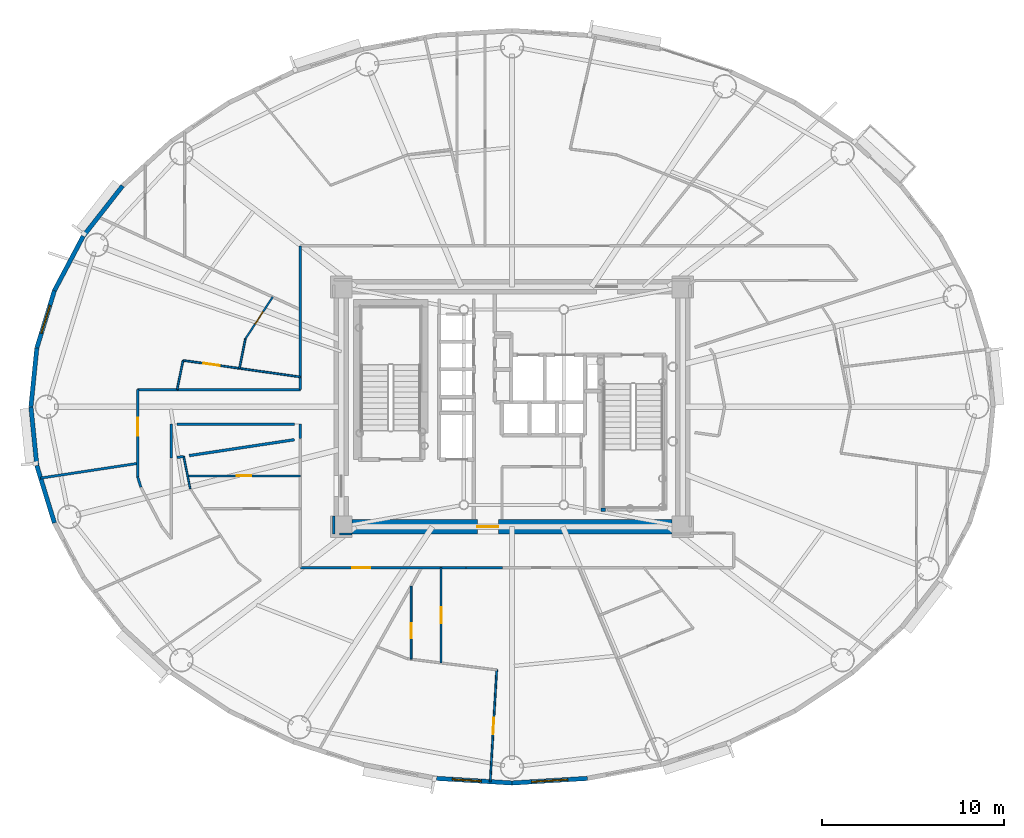
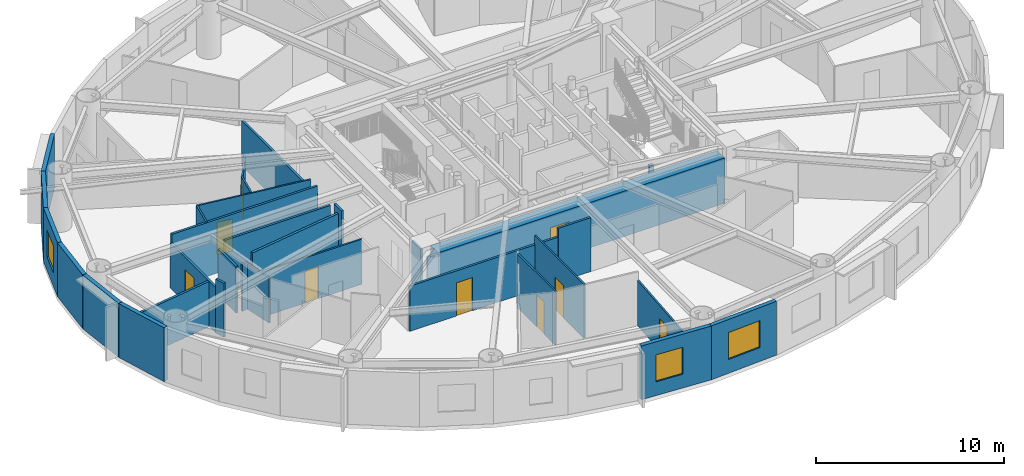
# One storey, part 7 of 18: 33 walls, 9 doors, 3 windows, 12 openings.
"""IFC4 building model written with IfcOpenShell, lengths in metres."""

from ifc_helpers import new_model, si_unit, direction, frame, frame_2d, origin, origin_2d, place, context, subcontext, project, spatial, rectangle, extrude, source, transform, mapped, material, layer, layer_set, type_object, element, fill, save


model = new_model("IFC4")

# Units and contexts
model_context = context("Model", 3, precision=1e-05, world=origin(), true_north=direction((0.0, 1.0)))
body_context = subcontext(model_context, "Body", "Model", "MODEL_VIEW")
ifc_project = project(units=[si_unit("LENGTHUNIT", "METRE"), si_unit("AREAUNIT", "SQUARE_METRE"), si_unit("VOLUMEUNIT", "CUBIC_METRE"), si_unit("PLANEANGLEUNIT", "RADIAN"), si_unit("MASSUNIT", "GRAM", prefix="KILO")], contexts=[model_context])

# Site, building, storey
site_placement = place(None, origin())
site = spatial("IfcSite", under=ifc_project, at=site_placement, CompositionType="ELEMENT")
building_placement = place(site_placement, origin())
building = spatial("IfcBuilding", under=site, at=building_placement, Name="Linh Dai School and Residence Tower", CompositionType="ELEMENT")
storey_placement = place(building_placement, frame((0.0, 0.0, 159.89990234375)))
storey = spatial("IfcBuildingStorey", under=building, at=storey_placement, Name="L38", CompositionType="ELEMENT", Elevation=159.89990234375)

# Walls
ifc_material_1 = material(Name="Precast Concrete B45 (C35/45)", Category="concrete")
ifc_layer_1 = layer(ifc_material_1, 0.239990234375)
ifc_layer_set_1 = layer_set([ifc_layer_1], Name="Precast Concrete B45 (C35/45)")
wall_type_1 = type_object("IfcWallType", Name="EW-TC-240", PredefinedType="SOLIDWALL", material=ifc_layer_set_1)
wall_1_placement = place(storey_placement, frame((12.404052734375, 36.388427734375, 0.0), z_axis=(0.0, 0.0, 1.0), x_axis=(0.616287674549, 0.787521112224, 0.0)))
element("IfcWall", 1, at=wall_1_placement, inside=storey, type_object=wall_type_1, Name="L38 Terracotta Exterior Wall 17", PredefinedType="SOLIDWALL", context=body_context, shape_type="SweptSolid", body=[
    extrude(rectangle(XDim=3.517333984375, YDim=0.239990234375, at=frame_2d((1.7587890625, 0.0))), origin(), (0.0, 0.0, 1.0), 3.5),
])
wall_2_placement = place(storey_placement, frame((10.8173828125, 33.388916015625, 0.0), z_axis=(0.0, 0.0, 1.0), x_axis=(0.467586874938, 0.88394712194, 0.0)))
element("IfcWall", 2, at=wall_2_placement, inside=storey, type_object=wall_type_1, Name="L38 Terracotta Exterior Wall 18", PredefinedType="SOLIDWALL", context=body_context, shape_type="SweptSolid", body=[
    extrude(rectangle(XDim=3.393310546875, YDim=0.239990234375, at=frame_2d((1.69677734375, 0.0))), origin(), (0.0, 0.0, 1.0), 3.5),
])

# Wall, opening, window
wall_3_placement = place(storey_placement, frame((9.85009765625, 30.233642578125, 0.0), z_axis=(0.0, 0.0, 1.0), x_axis=(0.293097995113, 0.956082405058, 0.0)))
wall_3 = element("IfcWall", 3, at=wall_3_placement, inside=storey, type_object=wall_type_1, Name="L38 Terracotta Exterior Wall 19", PredefinedType="SOLIDWALL", context=body_context, shape_type="SweptSolid", body=[
    extrude(rectangle(XDim=3.30029296875, YDim=0.239990234375, at=frame_2d((1.650146484375, 0.0))), origin(), (0.0, 0.0, 1.0), 3.5),
])
opening_1_placement = place(wall_3_placement, frame((0.85009765625, 0.0, 0.89990234375)))
opening_1 = element("IfcOpeningElement", 4, at=opening_1_placement, cuts=wall_3, Name="Opening W2", PredefinedType="OPENING", context=body_context, shape_type="SweptSolid", body=[
    extrude(rectangle(XDim=1.60009765625, YDim=1.75, at=origin_2d()), frame((0.800048828125, 0.1298828125, 0.875), z_axis=(0.0, -1.0, 0.0), x_axis=(1.0, 0.0, 0.0)), (0.0, 0.0, 1.0), 0.260009765625),
])
ifc_material_2 = material(Name="Double Low-E Insulated Glazing", Category="glass")
window_type_1 = type_object("IfcWindowType", Name="WN-RES-1600x1750", PartitioningType="DOUBLE_PANEL_VERTICAL", PredefinedType="WINDOW", material=ifc_material_2)
shared_shape_1 = source(origin(), body_context, "Body", "SweptSolid", [
    extrude(rectangle(XDim=1.60009765625, YDim=1.75, at=origin_2d()), frame((0.800048828125, 0.030029296875, 0.875), z_axis=(0.0, -1.0, 0.0), x_axis=(1.0, 0.0, 0.0)), (0.0, 0.0, 1.0), 0.06005859375),
])
window_1_placement = place(opening_1_placement, origin())
window_1 = element("IfcWindow", 5, at=window_1_placement, inside=storey, type_object=window_type_1, Name="L38 Exterior Window 19.1", OverallHeight=1.75, OverallWidth=1.60009765625, PartitioningType="DOUBLE_PANEL_VERTICAL", PredefinedType="WINDOW", context=body_context, shape_type="MappedRepresentation", body=[
    mapped(shared_shape_1, transform((0.0, 0.0, 0.0), x_axis=(1.0, 0.0, 0.0), y_axis=(0.0, 1.0, 0.0), z_axis=(0.0, 0.0, 1.0), scale=1.0)),
])
fill(opening_1, window_1)

# Walls
for number, where, z_axis, x_axis, name in (
    (6, (9.52490234375, 27.0, 0.0), (0.0, 0.0, 1.0), (0.100061534614, 0.994981250723, 0.0), "L38 Terracotta Exterior Wall 20"),
    (7, (9.85009765625, 23.766357421875, 0.0), (0.0, 0.0, 1.0), (-0.100061534614, 0.994981250723, 0.0), "L38 Terracotta Exterior Wall 21"),
):
    element("IfcWall", number, at=place(storey_placement, frame(where, z_axis=z_axis, x_axis=x_axis)), inside=storey, type_object=wall_type_1, Name=name, PredefinedType="SOLIDWALL", context=body_context, shape_type="SweptSolid", body=[
        extrude(rectangle(XDim=3.25, YDim=0.239990234375, at=frame_2d((1.625, 0.0))), origin(), (0.0, 0.0, 1.0), 3.5),
    ])
wall_4_placement = place(storey_placement, frame((10.8173828125, 20.611083984375, 0.0), z_axis=(0.0, 0.0, 1.0), x_axis=(-0.293097995113, 0.956082405058, 0.0)))
element("IfcWall", 8, at=wall_4_placement, inside=storey, type_object=wall_type_1, Name="L38 Terracotta Exterior Wall 22", PredefinedType="SOLIDWALL", context=body_context, shape_type="SweptSolid", body=[
    extrude(rectangle(XDim=3.30029296875, YDim=0.239990234375, at=frame_2d((1.650146484375, 0.0))), origin(), (0.0, 0.0, 1.0), 3.5),
])

# Wall, opening, window
wall_5_placement = place(storey_placement, frame((36.0, 6.294921875, 0.0), z_axis=(0.0, 0.0, 1.0), x_axis=(-0.998104600619, 0.061540281305, 0.0)))
wall_5 = element("IfcWall", 9, at=wall_5_placement, inside=storey, type_object=wall_type_1, Name="L38 Terracotta Exterior Wall 30", PredefinedType="SOLIDWALL", context=body_context, shape_type="SweptSolid", body=[
    extrude(rectangle(XDim=4.153564453125, YDim=0.239990234375, at=frame_2d((2.07666015625, 0.0))), origin(), (0.0, 0.0, 1.0), 3.5),
])
opening_2_placement = place(wall_5_placement, frame((1.68359375, 0.0, 0.89990234375)))
opening_2 = element("IfcOpeningElement", 10, at=opening_2_placement, cuts=wall_5, Name="Opening W2", PredefinedType="OPENING", context=body_context, shape_type="SweptSolid", body=[
    extrude(rectangle(XDim=1.60009765625, YDim=1.75, at=origin_2d()), frame((0.800048828125, 0.1298828125, 0.875), z_axis=(0.0, -1.0, 0.0), x_axis=(1.0, 0.0, 0.0)), (0.0, 0.0, 1.0), 0.260009765625),
])
window_2_placement = place(opening_2_placement, origin())
window_2 = element("IfcWindow", 11, at=window_2_placement, inside=storey, type_object=window_type_1, Name="L38 Exterior Window 30.1", OverallHeight=1.75, OverallWidth=1.60009765625, PartitioningType="DOUBLE_PANEL_VERTICAL", PredefinedType="WINDOW", context=body_context, shape_type="MappedRepresentation", body=[
    mapped(shared_shape_1, transform((0.0, 0.0, 0.0), x_axis=(1.0, 0.0, 0.0), y_axis=(0.0, 1.0, 0.0), z_axis=(0.0, 0.0, 1.0), scale=1.0)),
])
fill(opening_2, window_2)

wall_6_placement = place(storey_placement, frame((40.145751953125, 6.550537109375, 0.0), z_axis=(0.0, 0.0, 1.0), x_axis=(-0.998104600619, -0.061540281305, 0.0)))
wall_6 = element("IfcWall", 12, at=wall_6_placement, inside=storey, type_object=wall_type_1, Name="L38 Terracotta Exterior Wall 31", PredefinedType="SOLIDWALL", context=body_context, shape_type="SweptSolid", body=[
    extrude(rectangle(XDim=4.153564453125, YDim=0.239990234375, at=frame_2d((2.07666015625, 0.0))), origin(), (0.0, 0.0, 1.0), 3.5),
])
opening_3_placement = place(wall_6_placement, frame((1.076904296875, 0.0, 0.89990234375)))
opening_3 = element("IfcOpeningElement", 13, at=opening_3_placement, cuts=wall_6, Name="Opening W1", PredefinedType="OPENING", context=body_context, shape_type="SweptSolid", body=[
    extrude(rectangle(XDim=2.0, YDim=1.75, at=origin_2d()), frame((1.0, 0.1298828125, 0.875), z_axis=(0.0, -1.0, 0.0), x_axis=(1.0, 0.0, 0.0)), (0.0, 0.0, 1.0), 0.260009765625),
])
window_type_2 = type_object("IfcWindowType", Name="WN-RES-2000x1750", PartitioningType="DOUBLE_PANEL_VERTICAL", PredefinedType="WINDOW", material=ifc_material_2)
shared_shape_2 = source(origin(), body_context, "Body", "SweptSolid", [
    extrude(rectangle(XDim=2.0, YDim=1.75, at=origin_2d()), frame((1.0, 0.030029296875, 0.875), z_axis=(0.0, -1.0, 0.0), x_axis=(1.0, 0.0, 0.0)), (0.0, 0.0, 1.0), 0.06005859375),
])
window_3_placement = place(opening_3_placement, origin())
window_3 = element("IfcWindow", 14, at=window_3_placement, inside=storey, type_object=window_type_2, Name="L38 Exterior Window 31.1", OverallHeight=1.75, OverallWidth=2.0, PartitioningType="DOUBLE_PANEL_VERTICAL", PredefinedType="WINDOW", context=body_context, shape_type="MappedRepresentation", body=[
    mapped(shared_shape_2, transform((0.0, 0.0, 0.0), x_axis=(1.0, 0.0, 0.0), y_axis=(0.0, 1.0, 0.0), z_axis=(0.0, 0.0, 1.0), scale=1.0)),
])
fill(opening_3, window_3)

# Wall
ifc_material_3 = material(Name="Autoclaved Aerated Concrete Blockwork", Category="masonry")
ifc_layer_2 = layer(ifc_material_3, 0.135009765625)
ifc_layer_set_2 = layer_set([ifc_layer_2], Name="Autoclaved Aerated Concrete Blockwork")
wall_type_2 = type_object("IfcWallType", Name="IW-CORR-135-EI90", PredefinedType="PARTITIONING", material=ifc_layer_set_2)
wall_7_placement = place(storey_placement, frame((10.056640625, 23.075439453125, 0.0), z_axis=(0.0, 0.0, 1.0), x_axis=(0.988756022356, 0.14953771516, 0.0)))
element("IfcWall", 15, at=wall_7_placement, inside=storey, type_object=wall_type_2, Name="L38 Interior Partition Wall 001", PredefinedType="PARTITIONING", context=body_context, shape_type="SweptSolid", body=[
    extrude(rectangle(XDim=5.404052734375, YDim=0.135009765625, at=frame_2d((2.7021484375, 0.0))), origin(), (0.0, 0.0, 1.0), 2.93505859375),
])

# Wall, opening, door
wall_8_placement = place(storey_placement, frame((15.39990234375, 23.14599609375, 0.0), z_axis=(0.0, 0.0, 1.0), x_axis=(0.0, 1.0, 0.0)))
wall_8 = element("IfcWall", 16, at=wall_8_placement, inside=storey, type_object=wall_type_2, Name="L38 Interior Partition Wall 004", PredefinedType="PARTITIONING", context=body_context, shape_type="SweptSolid", body=[
    extrude(rectangle(XDim=4.803955078125, YDim=0.135009765625, at=frame_2d((2.40185546875, 0.0))), origin(), (0.0, 0.0, 1.0), 2.93505859375),
])
opening_4_placement = place(wall_8_placement, frame((2.250732421875, 0.0, 0.0)))
opening_4 = element("IfcOpeningElement", 17, at=opening_4_placement, cuts=wall_8, Name="Opening D03", PredefinedType="OPENING", context=body_context, shape_type="SweptSolid", body=[
    extrude(rectangle(XDim=1.0, YDim=2.14990234375, at=origin_2d()), frame((0.5, 0.07763671875, 1.074951171875), z_axis=(0.0, -1.0, 0.0), x_axis=(1.0, 0.0, 0.0)), (0.0, 0.0, 1.0), 0.155029296875),
])
ifc_material_4 = material(Name="Fire-Rated Solid Timber Entrance Door", Category="wood")
door_type_1 = type_object("IfcDoorType", Name="DR-FLAT-1000x2150-FD60S", OperationType="NOTDEFINED", PredefinedType="DOOR", material=ifc_material_4)
shared_shape_3 = source(origin(), body_context, "Body", "SweptSolid", [
    extrude(rectangle(XDim=1.0, YDim=2.14990234375, at=origin_2d()), frame((0.5, 0.02490234375, 1.074951171875), z_axis=(0.0, -1.0, 0.0), x_axis=(1.0, 0.0, 0.0)), (0.0, 0.0, 1.0), 0.050048828125),
])
door_1_placement = place(opening_4_placement, origin())
door_1 = element("IfcDoor", 18, at=door_1_placement, inside=storey, type_object=door_type_1, Name="L38 U3804 Apartment Entrance Door", OperationType="SINGLE_SWING_LEFT", OverallHeight=2.14990234375, OverallWidth=1.0, PredefinedType="DOOR", context=body_context, shape_type="MappedRepresentation", body=[
    mapped(shared_shape_3, transform((0.0, 0.0, 0.0), x_axis=(1.0, 0.0, 0.0), y_axis=(0.0, 1.0, 0.0), z_axis=(0.0, 0.0, 1.0), scale=1.0)),
])
fill(opening_4, door_1)

# Walls
wall_9_placement = place(storey_placement, frame((15.39990234375, 23.14599609375, 0.0), z_axis=(0.0, 0.0, 1.0), x_axis=(0.293335154151, -0.956009669061, 0.0)))
element("IfcWall", 19, at=wall_9_placement, inside=storey, type_object=wall_type_2, Name="L38 Interior Partition Wall 005", PredefinedType="PARTITIONING", context=body_context, shape_type="SweptSolid", body=[
    extrude(rectangle(XDim=0.59423828125, YDim=0.135009765625, at=frame_2d((0.297119140625, 0.0))), origin(), (0.0, 0.0, 1.0), 3.5),
])
wall_10_placement = place(storey_placement, frame((15.39990234375, 27.949951171875, 0.0), z_axis=(0.0, 0.0, 1.0), x_axis=(1.0, 0.0, 0.0)))
element("IfcWall", 20, at=wall_10_placement, inside=storey, type_object=wall_type_2, Name="L38 Interior Partition Wall 006", PredefinedType="PARTITIONING", context=body_context, shape_type="SweptSolid", body=[
    extrude(rectangle(XDim=8.9501953125, YDim=0.135009765625, at=frame_2d((4.47509765625, 0.0))), origin(), (0.0, 0.0, 1.0), 3.5),
])

# Wall, opening, door
wall_11_placement = place(storey_placement, frame((24.35009765625, 18.14990234375, 0.0), z_axis=(0.0, 0.0, 1.0), x_axis=(1.0, 0.0, 0.0)))
wall_11 = element("IfcWall", 21, at=wall_11_placement, inside=storey, type_object=wall_type_2, Name="L38 Interior Partition Wall 024", PredefinedType="PARTITIONING", context=body_context, shape_type="SweptSolid", body=[
    extrude(rectangle(XDim=9.108642578125, YDim=0.135009765625, at=frame_2d((4.55419921875, 0.0))), origin(), (0.0, 0.0, 1.0), 2.93505859375),
])
opening_5_placement = place(wall_11_placement, frame((2.856689453125, 0.0, 0.0)))
opening_5 = element("IfcOpeningElement", 22, at=opening_5_placement, cuts=wall_11, Name="Opening D03", PredefinedType="OPENING", context=body_context, shape_type="SweptSolid", body=[
    extrude(rectangle(XDim=1.0, YDim=2.14990234375, at=origin_2d()), frame((0.5, 0.07763671875, 1.074951171875), z_axis=(0.0, -1.0, 0.0), x_axis=(1.0, 0.0, 0.0)), (0.0, 0.0, 1.0), 0.155029296875),
])
door_2_placement = place(opening_5_placement, origin())
door_2 = element("IfcDoor", 23, at=door_2_placement, inside=storey, type_object=door_type_1, Name="L38 U3805 Apartment Entrance Door", OperationType="SINGLE_SWING_RIGHT", OverallHeight=2.14990234375, OverallWidth=1.0, PredefinedType="DOOR", context=body_context, shape_type="MappedRepresentation", body=[
    mapped(shared_shape_3, transform((0.0, 0.0, 0.0), x_axis=(1.0, 0.0, 0.0), y_axis=(0.0, 1.0, 0.0), z_axis=(0.0, 0.0, 1.0), scale=1.0)),
])
fill(opening_5, door_2)

# Walls
wall_12_placement = place(storey_placement, frame((24.35009765625, 27.949951171875, 0.0), z_axis=(0.0, 0.0, 1.0), x_axis=(0.0, 1.0, 0.0)))
element("IfcWall", 24, at=wall_12_placement, inside=storey, type_object=wall_type_2, Name="L38 Interior Partition Wall 025", PredefinedType="PARTITIONING", context=body_context, shape_type="SweptSolid", body=[
    extrude(rectangle(XDim=7.900146484375, YDim=0.135009765625, at=frame_2d((3.9501953125, 0.0))), origin(), (0.0, 0.0, 1.0), 2.93505859375),
])
wall_13_placement = place(storey_placement, frame((17.25, 26.050048828125, 0.0), z_axis=(0.0, 0.0, 1.0), x_axis=(0.0, -1.0, 0.0)))
element("IfcWall", 25, at=wall_13_placement, inside=storey, type_object=wall_type_2, Name="L38 Interior Partition Wall 100", PredefinedType="PARTITIONING", context=body_context, shape_type="SweptSolid", body=[
    extrude(rectangle(XDim=1.87646484375, YDim=0.135009765625, at=frame_2d((0.938232421875, 0.0))), origin(), (0.0, 0.0, 1.0), 3.03515625),
])
wall_14_placement = place(storey_placement, frame((26.199951171875, 20.989990234375, 0.0), z_axis=(0.0, 0.0, 1.0), x_axis=(0.0, -1.0, 0.0)))
element("IfcWall", 26, at=wall_14_placement, inside=storey, type_object=wall_type_2, Name="L38 Interior Partition Wall 104", PredefinedType="PARTITIONING", context=body_context, shape_type="SweptSolid", body=[
    extrude(rectangle(XDim=0.989990234375, YDim=0.135009765625, at=frame_2d((0.4951171875, 0.0))), origin(), (0.0, 0.0, 1.0), 3.5),
])
wall_15_placement = place(storey_placement, frame((26.507568359375, 20.0, 0.0), z_axis=(0.0, 0.0, 1.0), x_axis=(1.0, 0.0, 0.0)))
element("IfcWall", 27, at=wall_15_placement, inside=storey, type_object=wall_type_2, Name="L38 Interior Partition Wall 105", PredefinedType="PARTITIONING", context=body_context, shape_type="SweptSolid", body=[
    extrude(rectangle(XDim=0.682373046875, YDim=0.135009765625, at=frame_2d((0.34130859375, 0.0))), origin(), (0.0, 0.0, 1.0), 2.93505859375),
])
wall_16_placement = place(storey_placement, frame((35.475830078125, 18.14990234375, 0.0), z_axis=(0.0, 0.0, 1.0), x_axis=(-1.0, 0.0, 0.0)))
element("IfcWall", 28, at=wall_16_placement, inside=storey, type_object=wall_type_2, Name="L38 Interior Partition Wall 108", PredefinedType="PARTITIONING", context=body_context, shape_type="SweptSolid", body=[
    extrude(rectangle(XDim=2.007080078125, YDim=0.135009765625, at=frame_2d((1.00341796875, 0.0))), origin(), (0.0, 0.0, 1.0), 3.5),
])
wall_17_placement = place(storey_placement, frame((24.35009765625, 25.24755859375, 0.0), z_axis=(0.0, 0.0, 1.0), x_axis=(0.0, 1.0, 0.0)))
element("IfcWall", 29, at=wall_17_placement, inside=storey, type_object=wall_type_2, Name="L38 Interior Partition Wall 109", PredefinedType="PARTITIONING", context=body_context, shape_type="SweptSolid", body=[
    extrude(rectangle(XDim=0.802490234375, YDim=0.135009765625, at=frame_2d((0.4013671875, 0.0))), origin(), (0.0, 0.0, 1.0), 3.5),
])
wall_18_placement = place(storey_placement, frame((24.04248046875, 26.050048828125, 0.0), z_axis=(0.0, 0.0, 1.0), x_axis=(-1.0, 0.0, 0.0)))
element("IfcWall", 30, at=wall_18_placement, inside=storey, type_object=wall_type_2, Name="L38 Interior Partition Wall 110", PredefinedType="PARTITIONING", context=body_context, shape_type="SweptSolid", body=[
    extrude(rectangle(XDim=6.48486328125, YDim=0.135009765625, at=frame_2d((3.242431640625, 0.0))), origin(), (0.0, 0.0, 1.0), 3.5),
])
wall_19_placement = place(storey_placement, frame((17.5576171875, 24.2099609375, 0.0), z_axis=(0.0, 0.0, 1.0), x_axis=(0.988703952477, 0.149881601124, 0.0)))
element("IfcWall", 31, at=wall_19_placement, inside=storey, type_object=wall_type_2, Name="L38 Interior Partition Wall 114", PredefinedType="PARTITIONING", context=body_context, shape_type="SweptSolid", body=[
    extrude(rectangle(XDim=0.379638671875, YDim=0.135009765625, at=frame_2d((0.18994140625, 0.0))), origin(), (0.0, 0.0, 1.0), 3.03515625),
])
ifc_layer_3 = layer(ifc_material_3, 0.14990234375)
ifc_layer_set_3 = layer_set([ifc_layer_3], Name="Autoclaved Aerated Concrete Blockwork")
wall_type_3 = type_object("IfcWallType", Name="IW-SCH-150-EI60", PredefinedType="PARTITIONING", material=ifc_layer_set_3)
wall_20_placement = place(storey_placement, frame((18.23974609375, 24.313232421875, 0.0), z_axis=(0.0, 0.0, 1.0), x_axis=(0.988751262043, 0.149569187364, 0.0)))
element("IfcWall", 32, at=wall_20_placement, inside=storey, type_object=wall_type_3, Name="L38 Interior Partition Wall 115", PredefinedType="PARTITIONING", context=body_context, shape_type="SweptSolid", body=[
    extrude(rectangle(XDim=5.848388671875, YDim=0.14990234375, at=frame_2d((2.92431640625, 0.0))), origin(), (0.0, 0.0, 1.0), 3.5),
])
ifc_material_5 = material(Name="Concrete B45 (C35/45)", Category="concrete")
ifc_layer_4 = layer(ifc_material_5, 0.199951171875)
ifc_layer_set_4 = layer_set([ifc_layer_4], Name="Concrete B45 (C35/45)")
wall_type_4 = type_object("IfcWallType", Name="IW-SHAFT-200-EI120", PredefinedType="PARTITIONING", material=ifc_layer_set_4)
wall_21_placement = place(storey_placement, frame((40.89990234375, 21.330078125, 0.0), z_axis=(0.0, 0.0, 1.0), x_axis=(1.0, 0.0, 0.0)))
element("IfcWall", 33, at=wall_21_placement, inside=storey, type_object=wall_type_4, Name="L38 Interior Partition Wall 072", PredefinedType="PARTITIONING", context=body_context, shape_type="SweptSolid", body=[
    extrude(rectangle(XDim=0.25, YDim=0.199951171875, at=frame_2d((0.125, 0.0))), origin(), (0.0, 0.0, 1.0), 3.03515625),
])
ifc_material_6 = material(Name="Gypsum Plasterboard Acoustic Stud Partition", Category="masonry")
ifc_layer_5 = layer(ifc_material_6, 0.10009765625)
ifc_layer_set_5 = layer_set([ifc_layer_5], Name="Gypsum Plasterboard Acoustic Stud Partition")
wall_type_5 = type_object("IfcWallType", Name="IW-UNIT-100", PredefinedType="PARTITIONING", material=ifc_layer_set_5)
wall_22_placement = place(storey_placement, frame((17.572265625, 27.949951171875, 0.0), z_axis=(0.0, 0.0, 1.0), x_axis=(0.19821259699, 0.98015905158, 0.0)))
element("IfcWall", 34, at=wall_22_placement, inside=storey, type_object=wall_type_5, Name="L38 Interior Partition Wall 012", PredefinedType="PARTITIONING", context=body_context, shape_type="SweptSolid", body=[
    extrude(rectangle(XDim=1.634521484375, YDim=0.10009765625, at=frame_2d((0.8173828125, 0.0))), origin(), (0.0, 0.0, 1.0), 3.5),
])

# Wall, opening, door
wall_23_placement = place(storey_placement, frame((17.896240234375, 29.552001953125, 0.0), z_axis=(0.0, 0.0, 1.0), x_axis=(0.990212218954, -0.139569915938, 0.0)))
wall_23 = element("IfcWall", 35, at=wall_23_placement, inside=storey, type_object=wall_type_5, Name="L38 Interior Partition Wall 013", PredefinedType="PARTITIONING", context=body_context, shape_type="SweptSolid", body=[
    extrude(rectangle(XDim=6.517578125, YDim=0.10009765625, at=frame_2d((3.2587890625, 0.0))), origin(), (0.0, 0.0, 1.0), 3.5),
])
opening_6_placement = place(wall_23_placement, frame((1.13720703125, 0.0, 0.0)))
opening_6 = element("IfcOpeningElement", 36, at=opening_6_placement, cuts=wall_23, Name="Opening D05", PredefinedType="OPENING", context=body_context, shape_type="SweptSolid", body=[
    extrude(rectangle(XDim=0.89990234375, YDim=2.10009765625, at=origin_2d()), frame((0.449951171875, 0.06005859375, 1.050048828125), z_axis=(0.0, -1.0, 0.0), x_axis=(1.0, 0.0, 0.0)), (0.0, 0.0, 1.0), 0.1201171875),
])
ifc_material_7 = material(Name="Engineered Timber Internal Door", Category="wood")
door_type_2 = type_object("IfcDoorType", Name="DR-INT-900x2100", OperationType="NOTDEFINED", PredefinedType="DOOR", material=ifc_material_7)
shared_shape_4 = source(origin(), body_context, "Body", "SweptSolid", [
    extrude(rectangle(XDim=0.89990234375, YDim=2.10009765625, at=origin_2d()), frame((0.449951171875, 0.02490234375, 1.050048828125), z_axis=(0.0, -1.0, 0.0), x_axis=(1.0, 0.0, 0.0)), (0.0, 0.0, 1.0), 0.050048828125),
])
door_3_placement = place(opening_6_placement, origin())
door_3 = element("IfcDoor", 37, at=door_3_placement, inside=storey, type_object=door_type_2, Name="L38 Apartment U3804 Kitchen Door", OperationType="SINGLE_SWING_LEFT", OverallHeight=2.10009765625, OverallWidth=0.89990234375, PredefinedType="DOOR", context=body_context, shape_type="MappedRepresentation", body=[
    mapped(shared_shape_4, transform((0.0, 0.0, 0.0), x_axis=(1.0, 0.0, 0.0), y_axis=(0.0, 1.0, 0.0), z_axis=(0.0, 0.0, 1.0), scale=1.0)),
])
fill(opening_6, door_3)

# Wall
wall_24_placement = place(storey_placement, frame((17.932861328125, 24.266845703125, 0.0), z_axis=(0.0, 0.0, 1.0), x_axis=(0.198166528342, -0.980168366682, 0.0)))
element("IfcWall", 38, at=wall_24_placement, inside=storey, type_object=wall_type_5, Name="L38 Interior Partition Wall 014", PredefinedType="PARTITIONING", context=body_context, shape_type="SweptSolid", body=[
    extrude(rectangle(XDim=1.80859375, YDim=0.10009765625, at=frame_2d((0.904296875, 0.0))), origin(), (0.0, 0.0, 1.0), 2.93505859375),
])

# Wall, opening, door
wall_25_placement = place(storey_placement, frame((18.149658203125, 23.194580078125, 0.0), z_axis=(0.0, 0.0, 1.0), x_axis=(1.0, 0.0, 0.0)))
wall_25 = element("IfcWall", 39, at=wall_25_placement, inside=storey, type_object=wall_type_5, Name="L38 Interior Partition Wall 016", PredefinedType="PARTITIONING", context=body_context, shape_type="SweptSolid", body=[
    extrude(rectangle(XDim=6.200439453125, YDim=0.10009765625, at=frame_2d((3.10009765625, 0.0))), origin(), (0.0, 0.0, 1.0), 2.93505859375),
])
opening_7_placement = place(wall_25_placement, frame((2.690185546875, 0.0, 0.0)))
opening_7 = element("IfcOpeningElement", 40, at=opening_7_placement, cuts=wall_25, Name="Opening D06", PredefinedType="OPENING", context=body_context, shape_type="SweptSolid", body=[
    extrude(rectangle(XDim=0.820068359375, YDim=2.10009765625, at=origin_2d()), frame((0.41015625, 0.06005859375, 1.050048828125), z_axis=(0.0, -1.0, 0.0), x_axis=(1.0, 0.0, 0.0)), (0.0, 0.0, 1.0), 0.1201171875),
])
ifc_material_8 = material(Name="Moisture-Resistant Timber Bathroom Door", Category="wood")
door_type_3 = type_object("IfcDoorType", Name="DR-WET-820x2100", OperationType="NOTDEFINED", PredefinedType="DOOR", material=ifc_material_8)
shared_shape_5 = source(origin(), body_context, "Body", "SweptSolid", [
    extrude(rectangle(XDim=0.820068359375, YDim=2.10009765625, at=origin_2d()), frame((0.41015625, 0.02490234375, 1.050048828125), z_axis=(0.0, -1.0, 0.0), x_axis=(1.0, 0.0, 0.0)), (0.0, 0.0, 1.0), 0.050048828125),
])
door_4_placement = place(opening_7_placement, origin())
door_4 = element("IfcDoor", 41, at=door_4_placement, inside=storey, type_object=door_type_3, Name="L38 Apartment U3805 Bathroom 1 Door", OperationType="SINGLE_SWING_RIGHT", OverallHeight=2.10009765625, OverallWidth=0.820068359375, PredefinedType="DOOR", context=body_context, shape_type="MappedRepresentation", body=[
    mapped(shared_shape_5, transform((0.0, 0.0, 0.0), x_axis=(1.0, 0.0, 0.0), y_axis=(0.0, 1.0, 0.0), z_axis=(0.0, 0.0, 1.0), scale=1.0)),
])
fill(opening_7, door_4)

# Wall
wall_26_placement = place(storey_placement, frame((20.999755859375, 29.114501953125, 0.0), z_axis=(0.0, 0.0, 1.0), x_axis=(0.198219197437, 0.980157716782, 0.0)))
element("IfcWall", 42, at=wall_26_placement, inside=storey, type_object=wall_type_5, Name="L38 Interior Partition Wall 020", PredefinedType="PARTITIONING", context=body_context, shape_type="SweptSolid", body=[
    extrude(rectangle(XDim=1.651611328125, YDim=0.10009765625, at=frame_2d((0.82568359375, 0.0))), origin(), (0.0, 0.0, 1.0), 3.5),
])

# Wall, opening, door
wall_27_placement = place(storey_placement, frame((21.3271484375, 30.7333984375, 0.0), z_axis=(0.0, 0.0, 1.0), x_axis=(0.545365017792, 0.838198662233, 0.0)))
wall_27 = element("IfcWall", 43, at=wall_27_placement, inside=storey, type_object=wall_type_5, Name="L38 Interior Partition Wall 021", PredefinedType="PARTITIONING", context=body_context, shape_type="SweptSolid", body=[
    extrude(rectangle(XDim=2.75634765625, YDim=0.10009765625, at=frame_2d((1.378173828125, 0.0))), origin(), (0.0, 0.0, 1.0), 2.93505859375),
])
opening_8_placement = place(wall_27_placement, frame((0.968017578125, 0.0, 0.0)))
opening_8 = element("IfcOpeningElement", 44, at=opening_8_placement, cuts=wall_27, Name="Opening D06", PredefinedType="OPENING", context=body_context, shape_type="SweptSolid", body=[
    extrude(rectangle(XDim=0.820068359375, YDim=2.10009765625, at=origin_2d()), frame((0.41015625, 0.06005859375, 1.050048828125), z_axis=(0.0, -1.0, 0.0), x_axis=(1.0, 0.0, 0.0)), (0.0, 0.0, 1.0), 0.1201171875),
])
door_5_placement = place(opening_8_placement, origin())
door_5 = element("IfcDoor", 45, at=door_5_placement, inside=storey, type_object=door_type_3, Name="L38 Apartment U3804 Bathroom Door", OperationType="SINGLE_SWING_RIGHT", OverallHeight=2.10009765625, OverallWidth=0.820068359375, PredefinedType="DOOR", context=body_context, shape_type="MappedRepresentation", body=[
    mapped(shared_shape_5, transform((0.0, 0.0, 0.0), x_axis=(1.0, 0.0, 0.0), y_axis=(0.0, 1.0, 0.0), z_axis=(0.0, 0.0, 1.0), scale=1.0)),
])
fill(opening_8, door_5)

wall_28_placement = place(storey_placement, frame((30.449462890625, 13.107421875, 0.0), z_axis=(0.0, 0.0, 1.0), x_axis=(0.0, 1.0, 0.0)))
wall_28 = element("IfcWall", 46, at=wall_28_placement, inside=storey, type_object=wall_type_5, Name="L38 Interior Partition Wall 033", PredefinedType="PARTITIONING", context=body_context, shape_type="SweptSolid", body=[
    extrude(rectangle(XDim=4.021728515625, YDim=0.10009765625, at=frame_2d((2.0107421875, 0.0))), origin(), (0.0, 0.0, 1.0), 3.5),
])
opening_9_placement = place(wall_28_placement, frame((1.156494140625, 0.0, 0.0)))
opening_9 = element("IfcOpeningElement", 47, at=opening_9_placement, cuts=wall_28, Name="Opening D06", PredefinedType="OPENING", context=body_context, shape_type="SweptSolid", body=[
    extrude(rectangle(XDim=0.820068359375, YDim=2.10009765625, at=origin_2d()), frame((0.41015625, 0.06005859375, 1.050048828125), z_axis=(0.0, -1.0, 0.0), x_axis=(1.0, 0.0, 0.0)), (0.0, 0.0, 1.0), 0.1201171875),
])
door_6_placement = place(opening_9_placement, origin())
door_6 = element("IfcDoor", 48, at=door_6_placement, inside=storey, type_object=door_type_3, Name="L38 Apartment U3806 Bathroom 1 Door", OperationType="SINGLE_SWING_RIGHT", OverallHeight=2.10009765625, OverallWidth=0.820068359375, PredefinedType="DOOR", context=body_context, shape_type="MappedRepresentation", body=[
    mapped(shared_shape_5, transform((0.0, 0.0, 0.0), x_axis=(1.0, 0.0, 0.0), y_axis=(0.0, 1.0, 0.0), z_axis=(0.0, 0.0, 1.0), scale=1.0)),
])
fill(opening_9, door_6)

wall_29_placement = place(storey_placement, frame((32.09765625, 12.903076171875, 0.0), z_axis=(0.0, 0.0, 1.0), x_axis=(0.0, 1.0, 0.0)))
wall_29 = element("IfcWall", 49, at=wall_29_placement, inside=storey, type_object=wall_type_5, Name="L38 Interior Partition Wall 042", PredefinedType="PARTITIONING", context=body_context, shape_type="SweptSolid", body=[
    extrude(rectangle(XDim=5.246826171875, YDim=0.10009765625, at=frame_2d((2.62353515625, 0.0))), origin(), (0.0, 0.0, 1.0), 3.5),
])
opening_10_placement = place(wall_29_placement, frame((2.173583984375, 0.0, 0.0)))
opening_10 = element("IfcOpeningElement", 50, at=opening_10_placement, cuts=wall_29, Name="Opening D05", PredefinedType="OPENING", context=body_context, shape_type="SweptSolid", body=[
    extrude(rectangle(XDim=0.89990234375, YDim=2.10009765625, at=origin_2d()), frame((0.449951171875, 0.06005859375, 1.050048828125), z_axis=(0.0, -1.0, 0.0), x_axis=(1.0, 0.0, 0.0)), (0.0, 0.0, 1.0), 0.1201171875),
])
door_7_placement = place(opening_10_placement, origin())
door_7 = element("IfcDoor", 51, at=door_7_placement, inside=storey, type_object=door_type_2, Name="L38 Apartment U3806 Kitchen Door", OperationType="SINGLE_SWING_LEFT", OverallHeight=2.10009765625, OverallWidth=0.89990234375, PredefinedType="DOOR", context=body_context, shape_type="MappedRepresentation", body=[
    mapped(shared_shape_4, transform((0.0, 0.0, 0.0), x_axis=(1.0, 0.0, 0.0), y_axis=(0.0, 1.0, 0.0), z_axis=(0.0, 0.0, 1.0), scale=1.0)),
])
fill(opening_10, door_7)

wall_30_placement = place(storey_placement, frame((34.801025390625, 6.36376953125, 0.0), z_axis=(0.0, 0.0, 1.0), x_axis=(0.058007588758, 0.998316142135, 0.0)))
wall_30 = element("IfcWall", 52, at=wall_30_placement, inside=storey, type_object=wall_type_5, Name="L38 Interior Partition Wall 047", PredefinedType="PARTITIONING", context=body_context, shape_type="SweptSolid", body=[
    extrude(rectangle(XDim=6.170166015625, YDim=0.10009765625, at=frame_2d((3.0849609375, 0.0))), origin(), (0.0, 0.0, 1.0), 2.93505859375),
])
opening_11_placement = place(wall_30_placement, frame((2.635009765625, 0.0, 0.0)))
opening_11 = element("IfcOpeningElement", 53, at=opening_11_placement, cuts=wall_30, Name="Opening D05", PredefinedType="OPENING", context=body_context, shape_type="SweptSolid", body=[
    extrude(rectangle(XDim=0.89990234375, YDim=2.10009765625, at=origin_2d()), frame((0.449951171875, 0.06005859375, 1.050048828125), z_axis=(0.0, -1.0, 0.0), x_axis=(1.0, 0.0, 0.0)), (0.0, 0.0, 1.0), 0.1201171875),
])
door_8_placement = place(opening_11_placement, origin())
door_8 = element("IfcDoor", 54, at=door_8_placement, inside=storey, type_object=door_type_2, Name="L38 Apartment U3806 Principal Bedroom 1 Door", OperationType="SINGLE_SWING_RIGHT", OverallHeight=2.10009765625, OverallWidth=0.89990234375, PredefinedType="DOOR", context=body_context, shape_type="MappedRepresentation", body=[
    mapped(shared_shape_4, transform((0.0, 0.0, 0.0), x_axis=(1.0, 0.0, 0.0), y_axis=(0.0, 1.0, 0.0), z_axis=(0.0, 0.0, 1.0), scale=1.0)),
])
fill(opening_11, door_8)

ifc_material_9 = material(Name="Concrete B60 (C50/60)", Category="concrete")
ifc_layer_6 = layer(ifc_material_9, 0.800048828125)
ifc_layer_set_6 = layer_set([ifc_layer_6], Name="Concrete B60 (C50/60)")
wall_type_6 = type_object("IfcWallType", Name="WL-CORE800", PredefinedType="SHEAR", material=ifc_layer_set_6)
wall_31_placement = place(storey_placement, frame((44.800048828125, 20.39990234375, 0.0), z_axis=(0.0, 0.0, 1.0), x_axis=(-1.0, 0.0, 0.0)))
wall_31 = element("IfcWall", 55, at=wall_31_placement, inside=storey, type_object=wall_type_6, Name="L38 Central Core Shear Wall S", PredefinedType="SHEAR", context=body_context, shape_type="SweptSolid", body=[
    extrude(rectangle(XDim=17.60009765625, YDim=0.800048828125, at=frame_2d((8.800048828125, 0.0))), origin(), (0.0, 0.0, 1.0), 2.9501953125),
])
opening_12_placement = place(wall_31_placement, frame((9.550048828125, 0.0, 0.0)))
opening_12 = element("IfcOpeningElement", 56, at=opening_12_placement, cuts=wall_31, Name="Opening D02", PredefinedType="OPENING", context=body_context, shape_type="SweptSolid", body=[
    extrude(rectangle(XDim=1.14990234375, YDim=2.14990234375, at=origin_2d()), frame((0.574951171875, 0.41015625, 1.074951171875), z_axis=(0.0, -1.0, 0.0), x_axis=(1.0, 0.0, 0.0)), (0.0, 0.0, 1.0), 0.820068359375),
])
ifc_material_10 = material(Name="Fire-Rated Glazed Steel Lobby Door", Category="steel")
door_type_4 = type_object("IfcDoorType", Name="DR-LOBBY-1150x2150-FD90S", OperationType="NOTDEFINED", PredefinedType="DOOR", material=ifc_material_10)
shared_shape_6 = source(origin(), body_context, "Body", "SweptSolid", [
    extrude(rectangle(XDim=1.14990234375, YDim=2.14990234375, at=origin_2d()), frame((0.574951171875, 0.02490234375, 1.074951171875), z_axis=(0.0, -1.0, 0.0), x_axis=(1.0, 0.0, 0.0)), (0.0, 0.0, 1.0), 0.050048828125),
])
door_9_placement = place(opening_12_placement, origin())
door_9 = element("IfcDoor", 57, at=door_9_placement, inside=storey, type_object=door_type_4, Name="L38 Passenger Foyer Access Door", OperationType="SINGLE_SWING_LEFT", OverallHeight=2.14990234375, OverallWidth=1.14990234375, PredefinedType="DOOR", context=body_context, shape_type="MappedRepresentation", body=[
    mapped(shared_shape_6, transform((0.0, 0.0, 0.0), x_axis=(1.0, 0.0, 0.0), y_axis=(0.0, 1.0, 0.0), z_axis=(0.0, 0.0, 1.0), scale=1.0)),
])
fill(opening_12, door_9)

save(model, "model.ifc")
